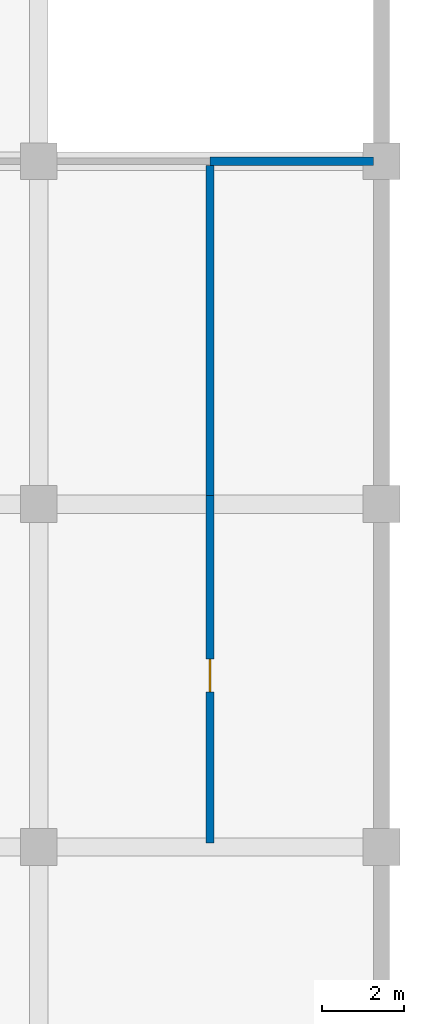
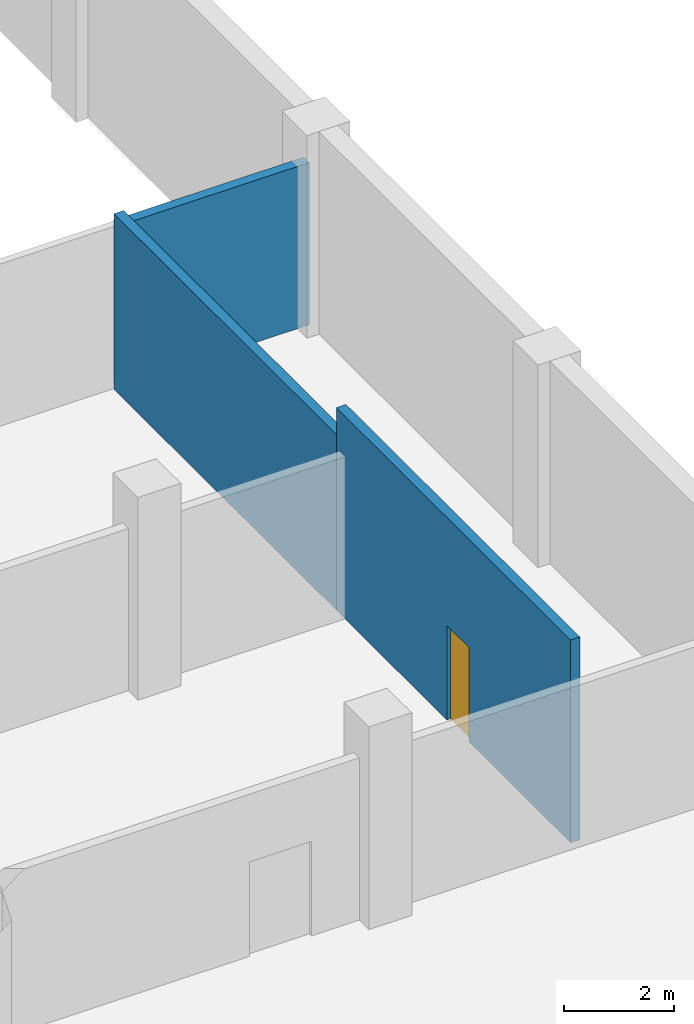
# One storey, part 7 of 13: 3 walls, 1 door, 1 opening.
"""IFC4 building model written with IfcOpenShell, lengths in metres."""

from ifc_helpers import new_model, si_unit, direction, frame, frame_2d, origin, place, context, subcontext, project, spatial, rectangle, extrude, material, layer, layer_set, type_object, element, fill, save


model = new_model("IFC4")

# Units and contexts
model_context = context("Model", 3, precision=1e-05, world=origin(), true_north=direction((0.0, 1.0)))
body_context = subcontext(model_context, "Body", "Model", "MODEL_VIEW")
ifc_project = project(units=[si_unit("LENGTHUNIT", "METRE"), si_unit("AREAUNIT", "SQUARE_METRE"), si_unit("VOLUMEUNIT", "CUBIC_METRE"), si_unit("PLANEANGLEUNIT", "RADIAN"), si_unit("MASSUNIT", "GRAM", prefix="KILO")], contexts=[model_context])

# Site, building, storey
site_placement = place(None, origin())
site = spatial("IfcSite", under=ifc_project, at=site_placement, CompositionType="ELEMENT")
building_placement = place(site_placement, origin())
building = spatial("IfcBuilding", under=site, at=building_placement, Name="Rulbaag Community and Learning Centre", CompositionType="ELEMENT")
storey_placement = place(building_placement, frame((0.0, 0.0, -4.800048828125)))
storey = spatial("IfcBuildingStorey", under=building, at=storey_placement, Name="B1", CompositionType="ELEMENT", Elevation=-4.800048828125)

# Wall
ifc_material_1 = material(Name="Concrete blockwork", Category="masonry")
ifc_layer = layer(ifc_material_1, 0.199951171875)
ifc_layer_set = layer_set([ifc_layer], Name="FW-200 FIRE WALL 200")
wall_type = type_object("IfcWallType", Name="FW-200 FIRE WALL 200", PredefinedType="SOLIDWALL", material=ifc_layer_set)
wall_1_placement = place(storey_placement, frame((163.800048828125, 50.39990234375, 0.0), z_axis=(0.0, 0.0, 1.0), x_axis=(1.0, 0.0, 0.0)))
element("IfcWall", 1, at=wall_1_placement, inside=storey, type_object=wall_type, Name="Fire wall B1 8", PredefinedType="SOLIDWALL", context=body_context, shape_type="SweptSolid", body=[
    extrude(rectangle(XDim=4.0, YDim=0.199951171875, at=frame_2d((2.0, 0.0))), origin(), (0.0, 0.0, 1.0), 3.60009765625),
])

# Wall, opening, door
wall_2_placement = place(storey_placement, frame((163.800048828125, 33.699951171875, 0.0), z_axis=(0.0, 0.0, 1.0), x_axis=(0.0, 1.0, 0.0)))
wall_2 = element("IfcWall", 2, at=wall_2_placement, inside=storey, type_object=wall_type, Name="Fire wall B1 32", PredefinedType="SOLIDWALL", context=body_context, shape_type="SweptSolid", body=[
    extrude(rectangle(XDim=8.51513671875, YDim=0.199951171875, at=frame_2d((4.257568359375, 0.0))), origin(), (0.0, 0.0, 1.0), 4.5),
])
opening_placement = place(wall_2_placement, frame((3.699951171875, 0.0, 0.0)))
opening = element("IfcOpeningElement", 3, at=opening_placement, cuts=wall_2, Name="Opening B1-D025", PredefinedType="OPENING", context=body_context, shape_type="SweptSolid", body=[
    extrude(rectangle(XDim=0.800048828125, YDim=2.10009765625, at=frame_2d((0.39990234375, 1.050048828125))), frame((0.0, 0.10986328125, 0.0), z_axis=(0.0, -1.0, 0.0), x_axis=(1.0, 0.0, 0.0)), (0.0, 0.0, 1.0), 0.219970703125),
])
ifc_material_2 = material(Name="Galvanised steel", Category="steel")
door_type = type_object("IfcDoorType", Name="FDR-800 RISER FIRE DOOR 800 x 2100", OperationType="SINGLE_SWING_LEFT", PredefinedType="DOOR", material=ifc_material_2)
door_placement = place(opening_placement, origin())
door = element("IfcDoor", 4, at=door_placement, inside=storey, type_object=door_type, Name="Riser door B1-D013", OperationType="SINGLE_SWING_RIGHT", OverallHeight=2.10009765625, OverallWidth=0.800048828125, PredefinedType="DOOR", context=body_context, shape_type="SweptSolid", body=[
    extrude(rectangle(XDim=0.800048828125, YDim=2.10009765625, at=frame_2d((0.39990234375, 1.050048828125))), frame((0.0, 0.02490234375, 0.0), z_axis=(0.0, -1.0, 0.0), x_axis=(1.0, 0.0, 0.0)), (0.0, 0.0, 1.0), 0.050048828125),
])
fill(opening, door)

# Wall
wall_3_placement = place(storey_placement, frame((163.800048828125, 42.215087890625, 0.0), z_axis=(0.0, 0.0, 1.0), x_axis=(0.0, 1.0, 0.0)))
element("IfcWall", 5, at=wall_3_placement, inside=storey, type_object=wall_type, Name="Fire wall B1 32.2", PredefinedType="SOLIDWALL", context=body_context, shape_type="SweptSolid", body=[
    extrude(rectangle(XDim=8.0849609375, YDim=0.199951171875, at=frame_2d((4.04248046875, 0.0))), origin(), (0.0, 0.0, 1.0), 3.900146484375),
])

save(model, "model.ifc")
